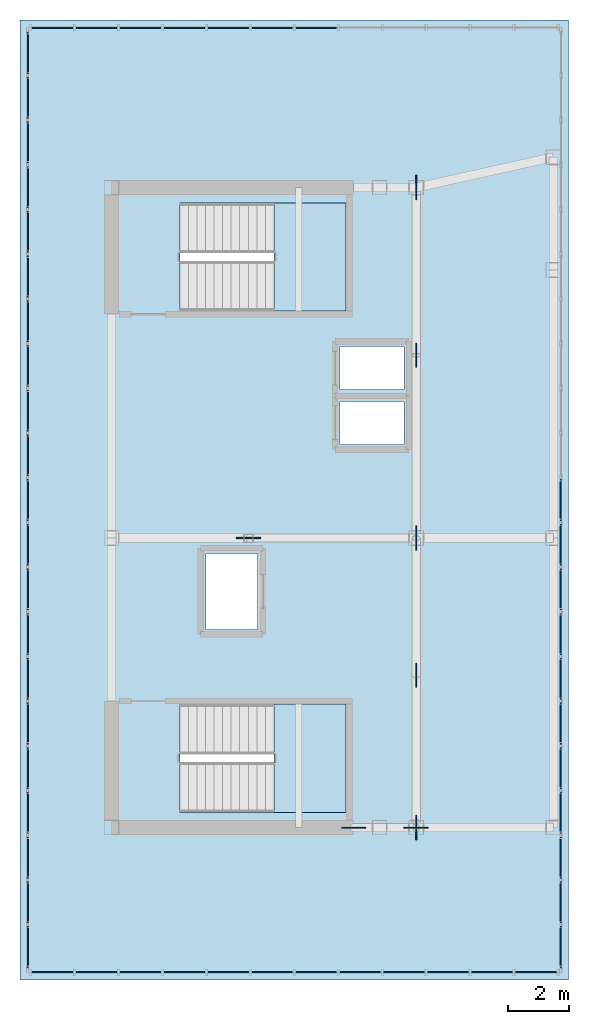
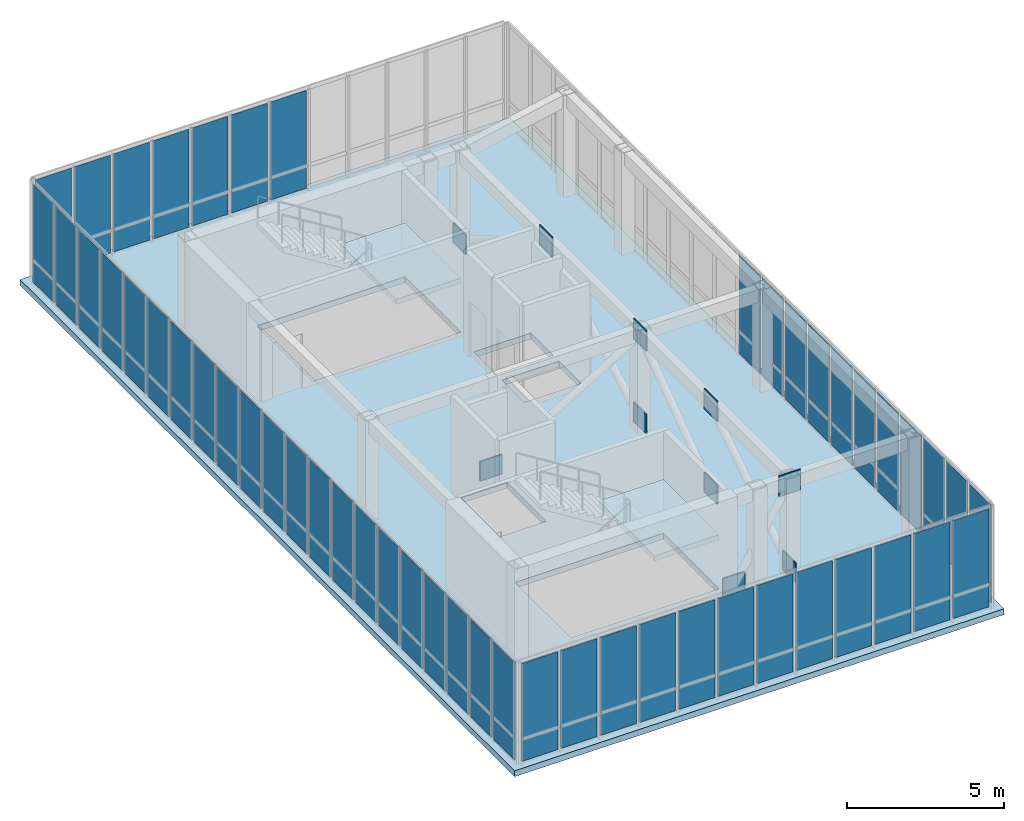
# One storey, part 11 of 13: 61 plates, 3 slabs, 6 elements without a shape of their own.
"""IFC4 building model written with IfcOpenShell, lengths in metres."""

from ifc_helpers import new_model, si_unit, direction, frame, origin, origin_2d, place, context, subcontext, project, spatial, polyline, rectangle, outline, extrude, source, transform, mapped, material, layer, layer_set, type_object, element, aggregate, save


model = new_model("IFC4")

# Units and contexts
model_context = context("Model", 3, precision=1e-05, world=origin(), true_north=direction((0.0, 1.0)))
body_context = subcontext(model_context, "Body", "Model", "MODEL_VIEW")
ifc_project = project(units=[si_unit("LENGTHUNIT", "METRE"), si_unit("AREAUNIT", "SQUARE_METRE"), si_unit("VOLUMEUNIT", "CUBIC_METRE"), si_unit("PLANEANGLEUNIT", "RADIAN"), si_unit("MASSUNIT", "GRAM", prefix="KILO")], contexts=[model_context])

# Site, building, storey
site_placement = place(None, origin())
site = spatial("IfcSite", under=ifc_project, at=site_placement, CompositionType="ELEMENT")
building_placement = place(site_placement, origin())
building = spatial("IfcBuilding", under=site, at=building_placement, Name="Kharzan Plaza Tower", CompositionType="ELEMENT")
storey_placement = place(building_placement, frame((0.0, 0.0, 277.199951171875)))
storey = spatial("IfcBuildingStorey", under=building, at=storey_placement, Name="L75-CROWN", CompositionType="ELEMENT", Elevation=277.199951171875)

# Slab
ifc_material_1 = material(Name="Concrete C40/50", Category="concrete")
ifc_layer_1 = layer(ifc_material_1, 0.22998046875)
ifc_layer_set_1 = layer_set([ifc_layer_1], Name="Concrete C40/50")
slab_type_1 = type_object("IfcSlabType", Name="SL-FLOOR-230", PredefinedType="FLOOR", material=ifc_layer_set_1)
slab_1_placement = place(storey_placement, frame((0.0, 0.0, -0.22998046875)))
element("IfcSlab", 1, at=slab_1_placement, inside=storey, type_object=slab_type_1, Name="L75-CROWN Composite Structural Floor Slab 230 mm", PredefinedType="FLOOR", context=body_context, shape_type="SweptSolid", body=[
    extrude(outline(polyline([(1.5, 3.5), (19.5, 3.5), (19.5, 35.0), (1.5, 35.0), (1.5, 3.5)]), holes=[polyline([(6.75, 12.550048828125), (6.75, 9.0), (12.199951171875, 9.0), (12.199951171875, 12.550048828125), (6.75, 12.550048828125)]), polyline([(7.60009765625, 17.5), (7.60009765625, 15.0), (9.300048828125, 15.0), (9.300048828125, 17.5), (7.60009765625, 17.5)]), polyline([(12.0, 22.489990234375), (12.0, 21.070068359375), (14.10009765625, 21.070068359375), (14.10009765625, 22.489990234375), (12.0, 22.489990234375)]), polyline([(14.10009765625, 24.2900390625), (12.0, 24.2900390625), (12.0, 22.8701171875), (14.10009765625, 22.8701171875), (14.10009765625, 24.2900390625)]), polyline([(12.199951171875, 29.0), (6.75, 29.0), (6.75, 25.449951171875), (12.199951171875, 25.449951171875), (12.199951171875, 29.0)])]), origin(), (0.0, 0.0, 1.0), 0.22998046875),
])

# Stair, slab
stair_type_1 = type_object("IfcStairType", Name="STR-ST-1", PredefinedType="HALF_TURN_STAIR", material=ifc_material_1)
stair_1_placement = place(storey_placement, origin())
stair_1 = element("IfcStair", 2, at=stair_1_placement, inside=storey, type_object=stair_type_1, Name="L75-CROWN Protected Exit Stair ST-1", PredefinedType="HALF_TURN_STAIR")
ifc_layer_2 = layer(ifc_material_1, 0.219970703125)
ifc_layer_set_2 = layer_set([ifc_layer_2], Name="Concrete C40/50")
slab_type_2 = type_object("IfcSlabType", Name="SL-LANDING-220", PredefinedType="LANDING", material=ifc_layer_set_2)
slab_2_placement = place(storey_placement, frame((0.0, 0.0, 1.900146484375)))
slab_2 = element("IfcSlab", 3, at=slab_2_placement, type_object=slab_type_2, Name="ST-1 landing 1", PredefinedType="LANDING", context=body_context, shape_type="SweptSolid", body=[
    extrude(outline(polyline([(9.830078125, 9.0), (12.199951171875, 9.0), (12.199951171875, 12.550048828125), (9.830078125, 12.550048828125), (9.830078125, 9.0)])), origin(), (0.0, 0.0, 1.0), 0.199951171875),
])
aggregate(stair_1, [slab_2])

stair_type_2 = type_object("IfcStairType", Name="STR-ST-2", PredefinedType="HALF_TURN_STAIR", material=ifc_material_1)
stair_2_placement = place(storey_placement, origin())
stair_2 = element("IfcStair", 4, at=stair_2_placement, inside=storey, type_object=stair_type_2, Name="L75-CROWN Protected Exit Stair ST-2", PredefinedType="HALF_TURN_STAIR")
slab_3_placement = place(storey_placement, frame((0.0, 0.0, 1.900146484375)))
slab_3 = element("IfcSlab", 5, at=slab_3_placement, type_object=slab_type_2, Name="ST-2 landing 1", PredefinedType="LANDING", context=body_context, shape_type="SweptSolid", body=[
    extrude(outline(polyline([(9.830078125, 25.449951171875), (12.199951171875, 25.449951171875), (12.199951171875, 29.0), (9.830078125, 29.0), (9.830078125, 25.449951171875)])), origin(), (0.0, 0.0, 1.0), 0.199951171875),
])
aggregate(stair_2, [slab_3])

# Curtain wall, plates
ifc_material_2 = material(Name="Unitised Bronze-Anodized Aluminium and Low-E Glass", Category="aluminium")
ifc_layer_3 = layer(ifc_material_2, 0.199951171875)
ifc_layer_set_3 = layer_set([ifc_layer_3], Name="Unitised Bronze-Anodized Aluminium and Low-E Glass")
curtain_wall_type = type_object("IfcCurtainWallType", Name="CW-LANTERN-6", PredefinedType="NOTDEFINED", material=ifc_layer_set_3)
curtain_wall_1_placement = place(storey_placement, origin())
curtain_wall_1 = element("IfcCurtainWall", 6, at=curtain_wall_1_placement, inside=storey, type_object=curtain_wall_type, Name="L75-CROWN Lantern Crown Illuminated Curtain Wall 1", PredefinedType="NOTDEFINED")
ifc_material_3 = material(Name="Low-Iron Fritted Lantern Crown Glazing", Category="glass")
ifc_layer_4 = layer(ifc_material_3, 0.035888671875)
ifc_layer_set_4 = layer_set([ifc_layer_4], Name="Low-Iron Fritted Lantern Crown Glazing")
plate_type_1 = type_object("IfcPlateType", Name="PLT-CW-LANTERN", PredefinedType="CURTAIN_PANEL", material=ifc_layer_set_4)
shared_shape_1 = source(origin(), body_context, "Body", "SweptSolid", [
    extrude(rectangle(XDim=1.32177734375, YDim=0.035888671875, at=origin_2d()), origin(), (0.0, 0.0, 1.0), 3.81005859375),
])
plate_1_placement = place(storey_placement, frame((2.57080078125, 3.75, 0.080078125), z_axis=(0.0, 0.0, 1.0), x_axis=(1.0, 0.0, 0.0)))
plate_1 = element("IfcPlate", 7, at=plate_1_placement, type_object=plate_type_1, Name="L75-CROWN Curtain-Wall Glazed Panel 00", PredefinedType="CURTAIN_PANEL", context=body_context, shape_type="MappedRepresentation", body=[
    mapped(shared_shape_1, transform((0.0, 0.0, 0.0), x_axis=(1.0, 0.0, 0.0), y_axis=(0.0, 1.0, 0.0), z_axis=(0.0, 0.0, 1.0))),
])
plate_2_placement = place(storey_placement, frame((4.012451171875, 3.75, 0.080078125), z_axis=(0.0, 0.0, 1.0), x_axis=(1.0, 0.0, 0.0)))
plate_2 = element("IfcPlate", 8, at=plate_2_placement, type_object=plate_type_1, Name="L75-CROWN Curtain-Wall Glazed Panel 01", PredefinedType="CURTAIN_PANEL", context=body_context, shape_type="MappedRepresentation", body=[
    mapped(shared_shape_1, transform((0.0, 0.0, 0.0), x_axis=(1.0, 0.0, 0.0), y_axis=(0.0, 1.0, 0.0), z_axis=(0.0, 0.0, 1.0))),
])
plate_3_placement = place(storey_placement, frame((5.4541015625, 3.75, 0.080078125), z_axis=(0.0, 0.0, 1.0), x_axis=(1.0, 0.0, 0.0)))
plate_3 = element("IfcPlate", 9, at=plate_3_placement, type_object=plate_type_1, Name="L75-CROWN Curtain-Wall Glazed Panel 02", PredefinedType="CURTAIN_PANEL", context=body_context, shape_type="MappedRepresentation", body=[
    mapped(shared_shape_1, transform((0.0, 0.0, 0.0), x_axis=(1.0, 0.0, 0.0), y_axis=(0.0, 1.0, 0.0), z_axis=(0.0, 0.0, 1.0))),
])
plate_4_placement = place(storey_placement, frame((6.895751953125, 3.75, 0.080078125), z_axis=(0.0, 0.0, 1.0), x_axis=(1.0, 0.0, 0.0)))
plate_4 = element("IfcPlate", 10, at=plate_4_placement, type_object=plate_type_1, Name="L75-CROWN Curtain-Wall Glazed Panel 03", PredefinedType="CURTAIN_PANEL", context=body_context, shape_type="MappedRepresentation", body=[
    mapped(shared_shape_1, transform((0.0, 0.0, 0.0), x_axis=(1.0, 0.0, 0.0), y_axis=(0.0, 1.0, 0.0), z_axis=(0.0, 0.0, 1.0))),
])
plate_5_placement = place(storey_placement, frame((8.33740234375, 3.75, 0.080078125), z_axis=(0.0, 0.0, 1.0), x_axis=(1.0, 0.0, 0.0)))
plate_5 = element("IfcPlate", 11, at=plate_5_placement, type_object=plate_type_1, Name="L75-CROWN Curtain-Wall Glazed Panel 04", PredefinedType="CURTAIN_PANEL", context=body_context, shape_type="MappedRepresentation", body=[
    mapped(shared_shape_1, transform((0.0, 0.0, 0.0), x_axis=(1.0, 0.0, 0.0), y_axis=(0.0, 1.0, 0.0), z_axis=(0.0, 0.0, 1.0))),
])
plate_6_placement = place(storey_placement, frame((9.779296875, 3.75, 0.080078125), z_axis=(0.0, 0.0, 1.0), x_axis=(1.0, 0.0, 0.0)))
plate_6 = element("IfcPlate", 12, at=plate_6_placement, type_object=plate_type_1, Name="L75-CROWN Curtain-Wall Glazed Panel 05", PredefinedType="CURTAIN_PANEL", context=body_context, shape_type="MappedRepresentation", body=[
    mapped(shared_shape_1, transform((0.0, 0.0, 0.0), x_axis=(1.0, 0.0, 0.0), y_axis=(0.0, 1.0, 0.0), z_axis=(0.0, 0.0, 1.0))),
])
plate_7_placement = place(storey_placement, frame((11.220703125, 3.75, 0.080078125), z_axis=(0.0, 0.0, 1.0), x_axis=(1.0, 0.0, 0.0)))
plate_7 = element("IfcPlate", 13, at=plate_7_placement, type_object=plate_type_1, Name="L75-CROWN Curtain-Wall Glazed Panel 06", PredefinedType="CURTAIN_PANEL", context=body_context, shape_type="MappedRepresentation", body=[
    mapped(shared_shape_1, transform((0.0, 0.0, 0.0), x_axis=(1.0, 0.0, 0.0), y_axis=(0.0, 1.0, 0.0), z_axis=(0.0, 0.0, 1.0))),
])
plate_8_placement = place(storey_placement, frame((12.66259765625, 3.75, 0.080078125), z_axis=(0.0, 0.0, 1.0), x_axis=(1.0, 0.0, 0.0)))
plate_8 = element("IfcPlate", 14, at=plate_8_placement, type_object=plate_type_1, Name="L75-CROWN Curtain-Wall Glazed Panel 07", PredefinedType="CURTAIN_PANEL", context=body_context, shape_type="MappedRepresentation", body=[
    mapped(shared_shape_1, transform((0.0, 0.0, 0.0), x_axis=(1.0, 0.0, 0.0), y_axis=(0.0, 1.0, 0.0), z_axis=(0.0, 0.0, 1.0))),
])
plate_9_placement = place(storey_placement, frame((14.104248046875, 3.75, 0.080078125), z_axis=(0.0, 0.0, 1.0), x_axis=(1.0, 0.0, 0.0)))
plate_9 = element("IfcPlate", 15, at=plate_9_placement, type_object=plate_type_1, Name="L75-CROWN Curtain-Wall Glazed Panel 08", PredefinedType="CURTAIN_PANEL", context=body_context, shape_type="MappedRepresentation", body=[
    mapped(shared_shape_1, transform((0.0, 0.0, 0.0), x_axis=(1.0, 0.0, 0.0), y_axis=(0.0, 1.0, 0.0), z_axis=(0.0, 0.0, 1.0))),
])
plate_10_placement = place(storey_placement, frame((15.5458984375, 3.75, 0.080078125), z_axis=(0.0, 0.0, 1.0), x_axis=(1.0, 0.0, 0.0)))
plate_10 = element("IfcPlate", 16, at=plate_10_placement, type_object=plate_type_1, Name="L75-CROWN Curtain-Wall Glazed Panel 09", PredefinedType="CURTAIN_PANEL", context=body_context, shape_type="MappedRepresentation", body=[
    mapped(shared_shape_1, transform((0.0, 0.0, 0.0), x_axis=(1.0, 0.0, 0.0), y_axis=(0.0, 1.0, 0.0), z_axis=(0.0, 0.0, 1.0))),
])
plate_11_placement = place(storey_placement, frame((16.987548828125, 3.75, 0.080078125), z_axis=(0.0, 0.0, 1.0), x_axis=(1.0, 0.0, 0.0)))
plate_11 = element("IfcPlate", 17, at=plate_11_placement, type_object=plate_type_1, Name="L75-CROWN Curtain-Wall Glazed Panel 10", PredefinedType="CURTAIN_PANEL", context=body_context, shape_type="MappedRepresentation", body=[
    mapped(shared_shape_1, transform((0.0, 0.0, 0.0), x_axis=(1.0, 0.0, 0.0), y_axis=(0.0, 1.0, 0.0), z_axis=(0.0, 0.0, 1.0))),
])
plate_12_placement = place(storey_placement, frame((18.42919921875, 3.75, 0.080078125), z_axis=(0.0, 0.0, 1.0), x_axis=(1.0, 0.0, 0.0)))
plate_12 = element("IfcPlate", 18, at=plate_12_placement, type_object=plate_type_1, Name="L75-CROWN Curtain-Wall Glazed Panel 11", PredefinedType="CURTAIN_PANEL", context=body_context, shape_type="MappedRepresentation", body=[
    mapped(shared_shape_1, transform((0.0, 0.0, 0.0), x_axis=(1.0, 0.0, 0.0), y_axis=(0.0, 1.0, 0.0), z_axis=(0.0, 0.0, 1.0))),
])
aggregate(curtain_wall_1, [plate_1, plate_2, plate_3, plate_4, plate_5, plate_6, plate_7, plate_8, plate_9, plate_10, plate_11, plate_12])

curtain_wall_2_placement = place(storey_placement, origin())
curtain_wall_2 = element("IfcCurtainWall", 19, at=curtain_wall_2_placement, inside=storey, type_object=curtain_wall_type, Name="L75-CROWN Lantern Crown Illuminated Curtain Wall 3", PredefinedType="NOTDEFINED")
plate_13_placement = place(storey_placement, frame((11.220703125, 34.75, 0.080078125), z_axis=(0.0, 0.0, 1.0), x_axis=(-1.0, 0.0, 0.0)))
plate_13 = element("IfcPlate", 20, at=plate_13_placement, type_object=plate_type_1, Name="L75-CROWN Curtain-Wall Glazed Panel 05", PredefinedType="CURTAIN_PANEL", context=body_context, shape_type="MappedRepresentation", body=[
    mapped(shared_shape_1, transform((0.0, 0.0, 0.0), x_axis=(1.0, 0.0, 0.0), y_axis=(0.0, 1.0, 0.0), z_axis=(0.0, 0.0, 1.0))),
])
plate_14_placement = place(storey_placement, frame((9.779296875, 34.75, 0.080078125), z_axis=(0.0, 0.0, 1.0), x_axis=(-1.0, 0.0, 0.0)))
plate_14 = element("IfcPlate", 21, at=plate_14_placement, type_object=plate_type_1, Name="L75-CROWN Curtain-Wall Glazed Panel 06", PredefinedType="CURTAIN_PANEL", context=body_context, shape_type="MappedRepresentation", body=[
    mapped(shared_shape_1, transform((0.0, 0.0, 0.0), x_axis=(1.0, 0.0, 0.0), y_axis=(0.0, 1.0, 0.0), z_axis=(0.0, 0.0, 1.0))),
])
plate_15_placement = place(storey_placement, frame((8.33740234375, 34.75, 0.080078125), z_axis=(0.0, 0.0, 1.0), x_axis=(-1.0, 0.0, 0.0)))
plate_15 = element("IfcPlate", 22, at=plate_15_placement, type_object=plate_type_1, Name="L75-CROWN Curtain-Wall Glazed Panel 07", PredefinedType="CURTAIN_PANEL", context=body_context, shape_type="MappedRepresentation", body=[
    mapped(shared_shape_1, transform((0.0, 0.0, 0.0), x_axis=(1.0, 0.0, 0.0), y_axis=(0.0, 1.0, 0.0), z_axis=(0.0, 0.0, 1.0))),
])
plate_16_placement = place(storey_placement, frame((6.895751953125, 34.75, 0.080078125), z_axis=(0.0, 0.0, 1.0), x_axis=(-1.0, 0.0, 0.0)))
plate_16 = element("IfcPlate", 23, at=plate_16_placement, type_object=plate_type_1, Name="L75-CROWN Curtain-Wall Glazed Panel 08", PredefinedType="CURTAIN_PANEL", context=body_context, shape_type="MappedRepresentation", body=[
    mapped(shared_shape_1, transform((0.0, 0.0, 0.0), x_axis=(1.0, 0.0, 0.0), y_axis=(0.0, 1.0, 0.0), z_axis=(0.0, 0.0, 1.0))),
])
plate_17_placement = place(storey_placement, frame((5.4541015625, 34.75, 0.080078125), z_axis=(0.0, 0.0, 1.0), x_axis=(-1.0, 0.0, 0.0)))
plate_17 = element("IfcPlate", 24, at=plate_17_placement, type_object=plate_type_1, Name="L75-CROWN Curtain-Wall Glazed Panel 09", PredefinedType="CURTAIN_PANEL", context=body_context, shape_type="MappedRepresentation", body=[
    mapped(shared_shape_1, transform((0.0, 0.0, 0.0), x_axis=(1.0, 0.0, 0.0), y_axis=(0.0, 1.0, 0.0), z_axis=(0.0, 0.0, 1.0))),
])
plate_18_placement = place(storey_placement, frame((4.012451171875, 34.75, 0.080078125), z_axis=(0.0, 0.0, 1.0), x_axis=(-1.0, 0.0, 0.0)))
plate_18 = element("IfcPlate", 25, at=plate_18_placement, type_object=plate_type_1, Name="L75-CROWN Curtain-Wall Glazed Panel 10", PredefinedType="CURTAIN_PANEL", context=body_context, shape_type="MappedRepresentation", body=[
    mapped(shared_shape_1, transform((0.0, 0.0, 0.0), x_axis=(1.0, 0.0, 0.0), y_axis=(0.0, 1.0, 0.0), z_axis=(0.0, 0.0, 1.0))),
])
plate_19_placement = place(storey_placement, frame((2.57080078125, 34.75, 0.080078125), z_axis=(0.0, 0.0, 1.0), x_axis=(-1.0, 0.0, 0.0)))
plate_19 = element("IfcPlate", 26, at=plate_19_placement, type_object=plate_type_1, Name="L75-CROWN Curtain-Wall Glazed Panel 11", PredefinedType="CURTAIN_PANEL", context=body_context, shape_type="MappedRepresentation", body=[
    mapped(shared_shape_1, transform((0.0, 0.0, 0.0), x_axis=(1.0, 0.0, 0.0), y_axis=(0.0, 1.0, 0.0), z_axis=(0.0, 0.0, 1.0))),
])
aggregate(curtain_wall_2, [plate_13, plate_14, plate_15, plate_16, plate_17, plate_18, plate_19])

curtain_wall_3_placement = place(storey_placement, origin())
curtain_wall_3 = element("IfcCurtainWall", 27, at=curtain_wall_3_placement, inside=storey, type_object=curtain_wall_type, Name="L75-CROWN Lantern Crown Illuminated Curtain Wall 2", PredefinedType="NOTDEFINED")
shared_shape_2 = source(origin(), body_context, "Body", "SweptSolid", [
    extrude(rectangle(XDim=1.3466796875, YDim=0.035888671875, at=origin_2d()), origin(), (0.0, 0.0, 1.0), 3.81005859375),
])
plate_20_placement = place(storey_placement, frame((19.25, 4.583251953125, 0.080078125), z_axis=(0.0, 0.0, 1.0), x_axis=(0.0, 1.0, 0.0)))
plate_20 = element("IfcPlate", 28, at=plate_20_placement, type_object=plate_type_1, Name="L75-CROWN Curtain-Wall Glazed Panel 00", PredefinedType="CURTAIN_PANEL", context=body_context, shape_type="MappedRepresentation", body=[
    mapped(shared_shape_2, transform((0.0, 0.0, 0.0), x_axis=(1.0, 0.0, 0.0), y_axis=(0.0, 1.0, 0.0), z_axis=(0.0, 0.0, 1.0))),
])
plate_21_placement = place(storey_placement, frame((19.25, 6.050048828125, 0.080078125), z_axis=(0.0, 0.0, 1.0), x_axis=(0.0, 1.0, 0.0)))
plate_21 = element("IfcPlate", 29, at=plate_21_placement, type_object=plate_type_1, Name="L75-CROWN Curtain-Wall Glazed Panel 01", PredefinedType="CURTAIN_PANEL", context=body_context, shape_type="MappedRepresentation", body=[
    mapped(shared_shape_2, transform((0.0, 0.0, 0.0), x_axis=(1.0, 0.0, 0.0), y_axis=(0.0, 1.0, 0.0), z_axis=(0.0, 0.0, 1.0))),
])
plate_22_placement = place(storey_placement, frame((19.25, 7.5166015625, 0.080078125), z_axis=(0.0, 0.0, 1.0), x_axis=(0.0, 1.0, 0.0)))
plate_22 = element("IfcPlate", 30, at=plate_22_placement, type_object=plate_type_1, Name="L75-CROWN Curtain-Wall Glazed Panel 02", PredefinedType="CURTAIN_PANEL", context=body_context, shape_type="MappedRepresentation", body=[
    mapped(shared_shape_2, transform((0.0, 0.0, 0.0), x_axis=(1.0, 0.0, 0.0), y_axis=(0.0, 1.0, 0.0), z_axis=(0.0, 0.0, 1.0))),
])
plate_23_placement = place(storey_placement, frame((19.25, 8.9833984375, 0.080078125), z_axis=(0.0, 0.0, 1.0), x_axis=(0.0, 1.0, 0.0)))
plate_23 = element("IfcPlate", 31, at=plate_23_placement, type_object=plate_type_1, Name="L75-CROWN Curtain-Wall Glazed Panel 03", PredefinedType="CURTAIN_PANEL", context=body_context, shape_type="MappedRepresentation", body=[
    mapped(shared_shape_2, transform((0.0, 0.0, 0.0), x_axis=(1.0, 0.0, 0.0), y_axis=(0.0, 1.0, 0.0), z_axis=(0.0, 0.0, 1.0))),
])
plate_24_placement = place(storey_placement, frame((19.25, 10.449951171875, 0.080078125), z_axis=(0.0, 0.0, 1.0), x_axis=(0.0, 1.0, 0.0)))
plate_24 = element("IfcPlate", 32, at=plate_24_placement, type_object=plate_type_1, Name="L75-CROWN Curtain-Wall Glazed Panel 04", PredefinedType="CURTAIN_PANEL", context=body_context, shape_type="MappedRepresentation", body=[
    mapped(shared_shape_2, transform((0.0, 0.0, 0.0), x_axis=(1.0, 0.0, 0.0), y_axis=(0.0, 1.0, 0.0), z_axis=(0.0, 0.0, 1.0))),
])
plate_25_placement = place(storey_placement, frame((19.25, 11.916748046875, 0.080078125), z_axis=(0.0, 0.0, 1.0), x_axis=(0.0, 1.0, 0.0)))
plate_25 = element("IfcPlate", 33, at=plate_25_placement, type_object=plate_type_1, Name="L75-CROWN Curtain-Wall Glazed Panel 05", PredefinedType="CURTAIN_PANEL", context=body_context, shape_type="MappedRepresentation", body=[
    mapped(shared_shape_2, transform((0.0, 0.0, 0.0), x_axis=(1.0, 0.0, 0.0), y_axis=(0.0, 1.0, 0.0), z_axis=(0.0, 0.0, 1.0))),
])
plate_26_placement = place(storey_placement, frame((19.25, 13.38330078125, 0.080078125), z_axis=(0.0, 0.0, 1.0), x_axis=(0.0, 1.0, 0.0)))
plate_26 = element("IfcPlate", 34, at=plate_26_placement, type_object=plate_type_1, Name="L75-CROWN Curtain-Wall Glazed Panel 06", PredefinedType="CURTAIN_PANEL", context=body_context, shape_type="MappedRepresentation", body=[
    mapped(shared_shape_2, transform((0.0, 0.0, 0.0), x_axis=(1.0, 0.0, 0.0), y_axis=(0.0, 1.0, 0.0), z_axis=(0.0, 0.0, 1.0))),
])
plate_27_placement = place(storey_placement, frame((19.25, 14.85009765625, 0.080078125), z_axis=(0.0, 0.0, 1.0), x_axis=(0.0, 1.0, 0.0)))
plate_27 = element("IfcPlate", 35, at=plate_27_placement, type_object=plate_type_1, Name="L75-CROWN Curtain-Wall Glazed Panel 07", PredefinedType="CURTAIN_PANEL", context=body_context, shape_type="MappedRepresentation", body=[
    mapped(shared_shape_2, transform((0.0, 0.0, 0.0), x_axis=(1.0, 0.0, 0.0), y_axis=(0.0, 1.0, 0.0), z_axis=(0.0, 0.0, 1.0))),
])
plate_28_placement = place(storey_placement, frame((19.25, 16.316650390625, 0.080078125), z_axis=(0.0, 0.0, 1.0), x_axis=(0.0, 1.0, 0.0)))
plate_28 = element("IfcPlate", 36, at=plate_28_placement, type_object=plate_type_1, Name="L75-CROWN Curtain-Wall Glazed Panel 08", PredefinedType="CURTAIN_PANEL", context=body_context, shape_type="MappedRepresentation", body=[
    mapped(shared_shape_2, transform((0.0, 0.0, 0.0), x_axis=(1.0, 0.0, 0.0), y_axis=(0.0, 1.0, 0.0), z_axis=(0.0, 0.0, 1.0))),
])
plate_29_placement = place(storey_placement, frame((19.25, 17.783203125, 0.080078125), z_axis=(0.0, 0.0, 1.0), x_axis=(0.0, 1.0, 0.0)))
plate_29 = element("IfcPlate", 37, at=plate_29_placement, type_object=plate_type_1, Name="L75-CROWN Curtain-Wall Glazed Panel 09", PredefinedType="CURTAIN_PANEL", context=body_context, shape_type="MappedRepresentation", body=[
    mapped(shared_shape_2, transform((0.0, 0.0, 0.0), x_axis=(1.0, 0.0, 0.0), y_axis=(0.0, 1.0, 0.0), z_axis=(0.0, 0.0, 1.0))),
])
plate_30_placement = place(storey_placement, frame((19.25, 19.25, 0.080078125), z_axis=(0.0, 0.0, 1.0), x_axis=(0.0, 1.0, 0.0)))
plate_30 = element("IfcPlate", 38, at=plate_30_placement, type_object=plate_type_1, Name="L75-CROWN Curtain-Wall Glazed Panel 10", PredefinedType="CURTAIN_PANEL", context=body_context, shape_type="MappedRepresentation", body=[
    mapped(shared_shape_2, transform((0.0, 0.0, 0.0), x_axis=(1.0, 0.0, 0.0), y_axis=(0.0, 1.0, 0.0), z_axis=(0.0, 0.0, 1.0))),
])
aggregate(curtain_wall_3, [plate_20, plate_21, plate_22, plate_23, plate_24, plate_25, plate_26, plate_27, plate_28, plate_29, plate_30])

curtain_wall_4_placement = place(storey_placement, origin())
curtain_wall_4 = element("IfcCurtainWall", 39, at=curtain_wall_4_placement, inside=storey, type_object=curtain_wall_type, Name="L75-CROWN Lantern Crown Illuminated Curtain Wall 4", PredefinedType="NOTDEFINED")
plate_31_placement = place(storey_placement, frame((1.75, 33.916748046875, 0.080078125), z_axis=(0.0, 0.0, 1.0), x_axis=(0.0, -1.0, 0.0)))
plate_31 = element("IfcPlate", 40, at=plate_31_placement, type_object=plate_type_1, Name="L75-CROWN Curtain-Wall Glazed Panel 00", PredefinedType="CURTAIN_PANEL", context=body_context, shape_type="MappedRepresentation", body=[
    mapped(shared_shape_2, transform((0.0, 0.0, 0.0), x_axis=(1.0, 0.0, 0.0), y_axis=(0.0, 1.0, 0.0), z_axis=(0.0, 0.0, 1.0))),
])
plate_32_placement = place(storey_placement, frame((1.75, 32.449951171875, 0.080078125), z_axis=(0.0, 0.0, 1.0), x_axis=(0.0, -1.0, 0.0)))
plate_32 = element("IfcPlate", 41, at=plate_32_placement, type_object=plate_type_1, Name="L75-CROWN Curtain-Wall Glazed Panel 01", PredefinedType="CURTAIN_PANEL", context=body_context, shape_type="MappedRepresentation", body=[
    mapped(shared_shape_2, transform((0.0, 0.0, 0.0), x_axis=(1.0, 0.0, 0.0), y_axis=(0.0, 1.0, 0.0), z_axis=(0.0, 0.0, 1.0))),
])
plate_33_placement = place(storey_placement, frame((1.75, 30.9833984375, 0.080078125), z_axis=(0.0, 0.0, 1.0), x_axis=(0.0, -1.0, 0.0)))
plate_33 = element("IfcPlate", 42, at=plate_33_placement, type_object=plate_type_1, Name="L75-CROWN Curtain-Wall Glazed Panel 02", PredefinedType="CURTAIN_PANEL", context=body_context, shape_type="MappedRepresentation", body=[
    mapped(shared_shape_2, transform((0.0, 0.0, 0.0), x_axis=(1.0, 0.0, 0.0), y_axis=(0.0, 1.0, 0.0), z_axis=(0.0, 0.0, 1.0))),
])
plate_34_placement = place(storey_placement, frame((1.75, 29.5166015625, 0.080078125), z_axis=(0.0, 0.0, 1.0), x_axis=(0.0, -1.0, 0.0)))
plate_34 = element("IfcPlate", 43, at=plate_34_placement, type_object=plate_type_1, Name="L75-CROWN Curtain-Wall Glazed Panel 03", PredefinedType="CURTAIN_PANEL", context=body_context, shape_type="MappedRepresentation", body=[
    mapped(shared_shape_2, transform((0.0, 0.0, 0.0), x_axis=(1.0, 0.0, 0.0), y_axis=(0.0, 1.0, 0.0), z_axis=(0.0, 0.0, 1.0))),
])
plate_35_placement = place(storey_placement, frame((1.75, 28.050048828125, 0.080078125), z_axis=(0.0, 0.0, 1.0), x_axis=(0.0, -1.0, 0.0)))
plate_35 = element("IfcPlate", 44, at=plate_35_placement, type_object=plate_type_1, Name="L75-CROWN Curtain-Wall Glazed Panel 04", PredefinedType="CURTAIN_PANEL", context=body_context, shape_type="MappedRepresentation", body=[
    mapped(shared_shape_2, transform((0.0, 0.0, 0.0), x_axis=(1.0, 0.0, 0.0), y_axis=(0.0, 1.0, 0.0), z_axis=(0.0, 0.0, 1.0))),
])
plate_36_placement = place(storey_placement, frame((1.75, 26.583251953125, 0.080078125), z_axis=(0.0, 0.0, 1.0), x_axis=(0.0, -1.0, 0.0)))
plate_36 = element("IfcPlate", 45, at=plate_36_placement, type_object=plate_type_1, Name="L75-CROWN Curtain-Wall Glazed Panel 05", PredefinedType="CURTAIN_PANEL", context=body_context, shape_type="MappedRepresentation", body=[
    mapped(shared_shape_2, transform((0.0, 0.0, 0.0), x_axis=(1.0, 0.0, 0.0), y_axis=(0.0, 1.0, 0.0), z_axis=(0.0, 0.0, 1.0))),
])
plate_37_placement = place(storey_placement, frame((1.75, 25.11669921875, 0.080078125), z_axis=(0.0, 0.0, 1.0), x_axis=(0.0, -1.0, 0.0)))
plate_37 = element("IfcPlate", 46, at=plate_37_placement, type_object=plate_type_1, Name="L75-CROWN Curtain-Wall Glazed Panel 06", PredefinedType="CURTAIN_PANEL", context=body_context, shape_type="MappedRepresentation", body=[
    mapped(shared_shape_2, transform((0.0, 0.0, 0.0), x_axis=(1.0, 0.0, 0.0), y_axis=(0.0, 1.0, 0.0), z_axis=(0.0, 0.0, 1.0))),
])
plate_38_placement = place(storey_placement, frame((1.75, 23.64990234375, 0.080078125), z_axis=(0.0, 0.0, 1.0), x_axis=(0.0, -1.0, 0.0)))
plate_38 = element("IfcPlate", 47, at=plate_38_placement, type_object=plate_type_1, Name="L75-CROWN Curtain-Wall Glazed Panel 07", PredefinedType="CURTAIN_PANEL", context=body_context, shape_type="MappedRepresentation", body=[
    mapped(shared_shape_2, transform((0.0, 0.0, 0.0), x_axis=(1.0, 0.0, 0.0), y_axis=(0.0, 1.0, 0.0), z_axis=(0.0, 0.0, 1.0))),
])
plate_39_placement = place(storey_placement, frame((1.75, 22.183349609375, 0.080078125), z_axis=(0.0, 0.0, 1.0), x_axis=(0.0, -1.0, 0.0)))
plate_39 = element("IfcPlate", 48, at=plate_39_placement, type_object=plate_type_1, Name="L75-CROWN Curtain-Wall Glazed Panel 08", PredefinedType="CURTAIN_PANEL", context=body_context, shape_type="MappedRepresentation", body=[
    mapped(shared_shape_2, transform((0.0, 0.0, 0.0), x_axis=(1.0, 0.0, 0.0), y_axis=(0.0, 1.0, 0.0), z_axis=(0.0, 0.0, 1.0))),
])
plate_40_placement = place(storey_placement, frame((1.75, 20.716796875, 0.080078125), z_axis=(0.0, 0.0, 1.0), x_axis=(0.0, -1.0, 0.0)))
plate_40 = element("IfcPlate", 49, at=plate_40_placement, type_object=plate_type_1, Name="L75-CROWN Curtain-Wall Glazed Panel 09", PredefinedType="CURTAIN_PANEL", context=body_context, shape_type="MappedRepresentation", body=[
    mapped(shared_shape_2, transform((0.0, 0.0, 0.0), x_axis=(1.0, 0.0, 0.0), y_axis=(0.0, 1.0, 0.0), z_axis=(0.0, 0.0, 1.0))),
])
plate_41_placement = place(storey_placement, frame((1.75, 19.25, 0.080078125), z_axis=(0.0, 0.0, 1.0), x_axis=(0.0, -1.0, 0.0)))
plate_41 = element("IfcPlate", 50, at=plate_41_placement, type_object=plate_type_1, Name="L75-CROWN Curtain-Wall Glazed Panel 10", PredefinedType="CURTAIN_PANEL", context=body_context, shape_type="MappedRepresentation", body=[
    mapped(shared_shape_2, transform((0.0, 0.0, 0.0), x_axis=(1.0, 0.0, 0.0), y_axis=(0.0, 1.0, 0.0), z_axis=(0.0, 0.0, 1.0))),
])
plate_42_placement = place(storey_placement, frame((1.75, 17.783203125, 0.080078125), z_axis=(0.0, 0.0, 1.0), x_axis=(0.0, -1.0, 0.0)))
plate_42 = element("IfcPlate", 51, at=plate_42_placement, type_object=plate_type_1, Name="L75-CROWN Curtain-Wall Glazed Panel 11", PredefinedType="CURTAIN_PANEL", context=body_context, shape_type="MappedRepresentation", body=[
    mapped(shared_shape_2, transform((0.0, 0.0, 0.0), x_axis=(1.0, 0.0, 0.0), y_axis=(0.0, 1.0, 0.0), z_axis=(0.0, 0.0, 1.0))),
])
plate_43_placement = place(storey_placement, frame((1.75, 16.316650390625, 0.080078125), z_axis=(0.0, 0.0, 1.0), x_axis=(0.0, -1.0, 0.0)))
plate_43 = element("IfcPlate", 52, at=plate_43_placement, type_object=plate_type_1, Name="L75-CROWN Curtain-Wall Glazed Panel 12", PredefinedType="CURTAIN_PANEL", context=body_context, shape_type="MappedRepresentation", body=[
    mapped(shared_shape_2, transform((0.0, 0.0, 0.0), x_axis=(1.0, 0.0, 0.0), y_axis=(0.0, 1.0, 0.0), z_axis=(0.0, 0.0, 1.0))),
])
plate_44_placement = place(storey_placement, frame((1.75, 14.85009765625, 0.080078125), z_axis=(0.0, 0.0, 1.0), x_axis=(0.0, -1.0, 0.0)))
plate_44 = element("IfcPlate", 53, at=plate_44_placement, type_object=plate_type_1, Name="L75-CROWN Curtain-Wall Glazed Panel 13", PredefinedType="CURTAIN_PANEL", context=body_context, shape_type="MappedRepresentation", body=[
    mapped(shared_shape_2, transform((0.0, 0.0, 0.0), x_axis=(1.0, 0.0, 0.0), y_axis=(0.0, 1.0, 0.0), z_axis=(0.0, 0.0, 1.0))),
])
plate_45_placement = place(storey_placement, frame((1.75, 13.38330078125, 0.080078125), z_axis=(0.0, 0.0, 1.0), x_axis=(0.0, -1.0, 0.0)))
plate_45 = element("IfcPlate", 54, at=plate_45_placement, type_object=plate_type_1, Name="L75-CROWN Curtain-Wall Glazed Panel 14", PredefinedType="CURTAIN_PANEL", context=body_context, shape_type="MappedRepresentation", body=[
    mapped(shared_shape_2, transform((0.0, 0.0, 0.0), x_axis=(1.0, 0.0, 0.0), y_axis=(0.0, 1.0, 0.0), z_axis=(0.0, 0.0, 1.0))),
])
plate_46_placement = place(storey_placement, frame((1.75, 11.916748046875, 0.080078125), z_axis=(0.0, 0.0, 1.0), x_axis=(0.0, -1.0, 0.0)))
plate_46 = element("IfcPlate", 55, at=plate_46_placement, type_object=plate_type_1, Name="L75-CROWN Curtain-Wall Glazed Panel 15", PredefinedType="CURTAIN_PANEL", context=body_context, shape_type="MappedRepresentation", body=[
    mapped(shared_shape_2, transform((0.0, 0.0, 0.0), x_axis=(1.0, 0.0, 0.0), y_axis=(0.0, 1.0, 0.0), z_axis=(0.0, 0.0, 1.0))),
])
plate_47_placement = place(storey_placement, frame((1.75, 10.449951171875, 0.080078125), z_axis=(0.0, 0.0, 1.0), x_axis=(0.0, -1.0, 0.0)))
plate_47 = element("IfcPlate", 56, at=plate_47_placement, type_object=plate_type_1, Name="L75-CROWN Curtain-Wall Glazed Panel 16", PredefinedType="CURTAIN_PANEL", context=body_context, shape_type="MappedRepresentation", body=[
    mapped(shared_shape_2, transform((0.0, 0.0, 0.0), x_axis=(1.0, 0.0, 0.0), y_axis=(0.0, 1.0, 0.0), z_axis=(0.0, 0.0, 1.0))),
])
plate_48_placement = place(storey_placement, frame((1.75, 8.9833984375, 0.080078125), z_axis=(0.0, 0.0, 1.0), x_axis=(0.0, -1.0, 0.0)))
plate_48 = element("IfcPlate", 57, at=plate_48_placement, type_object=plate_type_1, Name="L75-CROWN Curtain-Wall Glazed Panel 17", PredefinedType="CURTAIN_PANEL", context=body_context, shape_type="MappedRepresentation", body=[
    mapped(shared_shape_2, transform((0.0, 0.0, 0.0), x_axis=(1.0, 0.0, 0.0), y_axis=(0.0, 1.0, 0.0), z_axis=(0.0, 0.0, 1.0))),
])
plate_49_placement = place(storey_placement, frame((1.75, 7.5166015625, 0.080078125), z_axis=(0.0, 0.0, 1.0), x_axis=(0.0, -1.0, 0.0)))
plate_49 = element("IfcPlate", 58, at=plate_49_placement, type_object=plate_type_1, Name="L75-CROWN Curtain-Wall Glazed Panel 18", PredefinedType="CURTAIN_PANEL", context=body_context, shape_type="MappedRepresentation", body=[
    mapped(shared_shape_2, transform((0.0, 0.0, 0.0), x_axis=(1.0, 0.0, 0.0), y_axis=(0.0, 1.0, 0.0), z_axis=(0.0, 0.0, 1.0))),
])
plate_50_placement = place(storey_placement, frame((1.75, 6.050048828125, 0.080078125), z_axis=(0.0, 0.0, 1.0), x_axis=(0.0, -1.0, 0.0)))
plate_50 = element("IfcPlate", 59, at=plate_50_placement, type_object=plate_type_1, Name="L75-CROWN Curtain-Wall Glazed Panel 19", PredefinedType="CURTAIN_PANEL", context=body_context, shape_type="MappedRepresentation", body=[
    mapped(shared_shape_2, transform((0.0, 0.0, 0.0), x_axis=(1.0, 0.0, 0.0), y_axis=(0.0, 1.0, 0.0), z_axis=(0.0, 0.0, 1.0))),
])
plate_51_placement = place(storey_placement, frame((1.75, 4.583251953125, 0.080078125), z_axis=(0.0, 0.0, 1.0), x_axis=(0.0, -1.0, 0.0)))
plate_51 = element("IfcPlate", 60, at=plate_51_placement, type_object=plate_type_1, Name="L75-CROWN Curtain-Wall Glazed Panel 20", PredefinedType="CURTAIN_PANEL", context=body_context, shape_type="MappedRepresentation", body=[
    mapped(shared_shape_2, transform((0.0, 0.0, 0.0), x_axis=(1.0, 0.0, 0.0), y_axis=(0.0, 1.0, 0.0), z_axis=(0.0, 0.0, 1.0))),
])
aggregate(curtain_wall_4, [plate_31, plate_32, plate_33, plate_34, plate_35, plate_36, plate_37, plate_38, plate_39, plate_40, plate_41, plate_42, plate_43, plate_44, plate_45, plate_46, plate_47, plate_48, plate_49, plate_50, plate_51])

# Plates
ifc_material_4 = material(Name="Steel S460", Category="steel")
ifc_layer_5 = layer(ifc_material_4, 0.044921875)
ifc_layer_set_5 = layer_set([ifc_layer_5], Name="Steel S460")
plate_type_2 = type_object("IfcPlateType", Name="PLT-OTN1", PredefinedType="USERDEFINED", material=ifc_layer_set_5)
shared_shape_3 = source(origin(), body_context, "Body", "SweptSolid", [
    extrude(rectangle(XDim=0.800048828125, YDim=0.0400390625, at=origin_2d()), origin(), (0.0, 0.0, 1.0), 0.800048828125),
])
for number, where, z_axis, x_axis, name in (
    (61, (14.5, 18.0, -0.0498046875), (0.0, 0.0, 1.0), (0.0, 1.0, 0.0), "L75-CROWN CROWN FRAME Brace End Gusset Plate OTN1-CRD-E1-A"),
    (62, (14.5, 29.5, -0.0498046875), (0.0, 0.0, 1.0), (0.0, -1.0, 0.0), "L75-CROWN CROWN FRAME Brace End Gusset Plate OTN1-CRD-N1-A"),
    (63, (14.5, 24.0, 3.22021484375), (0.0, 0.0, 1.0), (0.0, -1.0, 0.0), "L75-CROWN CROWN FRAME Brace End Gusset Plate OTN1-CRD-N1-B"),
    (64, (12.449951171875, 8.5, -0.0498046875), (0.0, 0.0, 1.0), (1.0, 0.0, 0.0), "L75-CROWN CROWN FRAME Brace End Gusset Plate OTN1-CRD-N2-A"),
    (65, (14.5, 8.5, 3.22021484375), (0.0, 0.0, 1.0), (1.0, 0.0, 0.0), "L75-CROWN CROWN FRAME Brace End Gusset Plate OTN1-CRD-N2-B"),
    (66, (14.5, 8.5, -0.0498046875), (0.0, 0.0, 1.0), (0.0, 1.0, 0.0), "L75-CROWN CROWN FRAME Brace End Gusset Plate OTN1-CRD-S1-A"),
    (67, (14.5, 13.5, 3.22021484375), (0.0, 0.0, 1.0), (0.0, 1.0, 0.0), "L75-CROWN CROWN FRAME Brace End Gusset Plate OTN1-CRD-S1-B"),
    (68, (14.5, 13.5, -0.0498046875), (0.0, 0.0, 1.0), (0.0, 1.0, 0.0), "L75-CROWN CROWN FRAME Brace End Gusset Plate OTN1-CRD-S2-A"),
    (69, (14.5, 18.0, 3.22021484375), (0.0, 0.0, 1.0), (0.0, 1.0, 0.0), "L75-CROWN CROWN FRAME Brace End Gusset Plate OTN1-CRD-S2-B"),
    (70, (9.0, 18.0, -0.0498046875), (0.0, 0.0, 1.0), (1.0, 0.0, 0.0), "L75-CROWN CROWN FRAME Brace End Gusset Plate OTN1-CRD-W1-A"),
):
    element("IfcPlate", number, at=place(storey_placement, frame(where, z_axis=z_axis, x_axis=x_axis)), inside=storey, type_object=plate_type_2, Name=name, ObjectType="GUSSET_PLATE", PredefinedType="USERDEFINED", context=body_context, shape_type="MappedRepresentation", body=[
        mapped(shared_shape_3, transform((0.0, 0.0, 0.0), x_axis=(1.0, 0.0, 0.0), y_axis=(0.0, 1.0, 0.0), z_axis=(0.0, 0.0, 1.0))),
    ])

save(model, "model.ifc")
